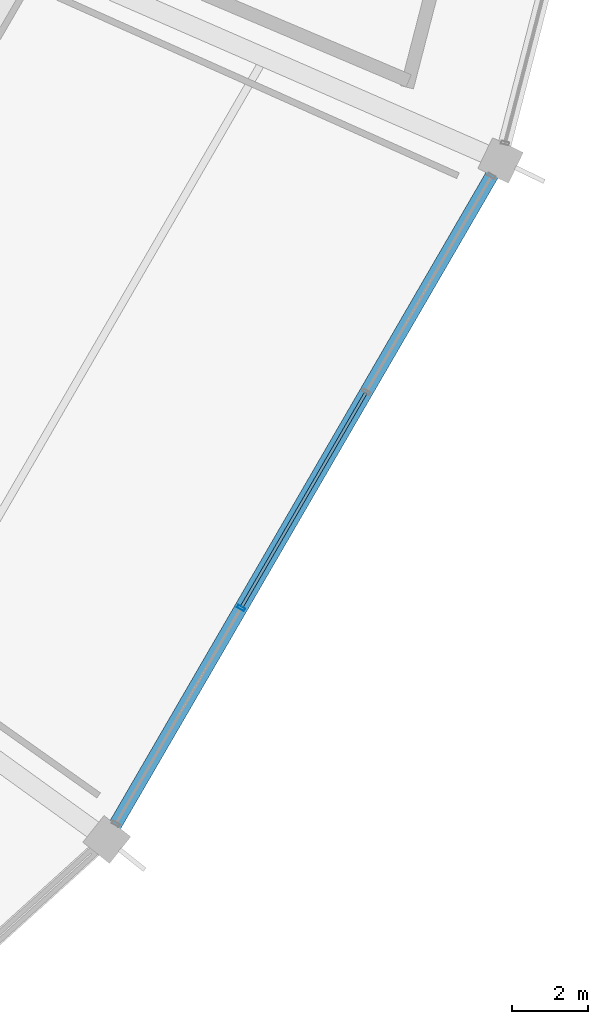
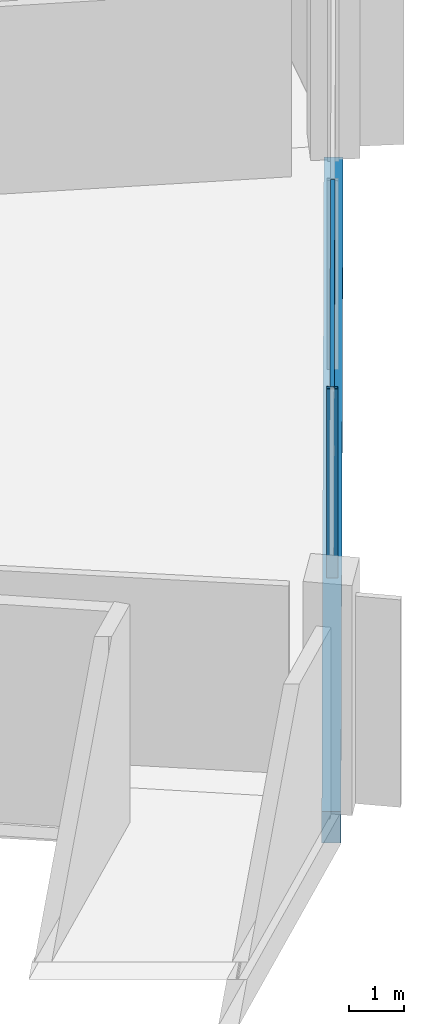
# One storey, part 71 of 184: 3 members, 1 beam, 1 element without a shape of its own.
"""IFC4 building model written with IfcOpenShell, lengths in metres."""

from ifc_helpers import new_model, si_unit, direction, frame, origin, origin_2d, place, context, subcontext, project, spatial, rectangle, hollow_rectangle, extrude, material, layer, layer_set, material_profile, profile_set, type_object, element, aggregate, save


model = new_model("IFC4")

# Units and contexts
model_context = context("Model", 3, precision=1e-05, world=origin(), true_north=direction((0.0, 1.0)))
body_context = subcontext(model_context, "Body", "Model", "MODEL_VIEW")
ifc_project = project(units=[si_unit("LENGTHUNIT", "METRE"), si_unit("AREAUNIT", "SQUARE_METRE"), si_unit("VOLUMEUNIT", "CUBIC_METRE"), si_unit("PLANEANGLEUNIT", "RADIAN"), si_unit("MASSUNIT", "GRAM", prefix="KILO")], contexts=[model_context])

# Site, building, storey
site_placement = place(None, origin())
site = spatial("IfcSite", under=ifc_project, at=site_placement, CompositionType="ELEMENT")
building_placement = place(site_placement, origin())
building = spatial("IfcBuilding", under=site, at=building_placement, Name="Kazemori Nagisa Stadium", CompositionType="ELEMENT")
storey_placement = place(building_placement, frame((0.0, 0.0, 10.5400390625)))
storey = spatial("IfcBuildingStorey", under=building, at=storey_placement, Name="L02", CompositionType="ELEMENT", Elevation=10.5400390625)

# Beam
ifc_material_1 = material(Name="Concrete C40/50 (Fc42)", Category="concrete")
ifc_material_profile_1 = material_profile(ifc_material_1, rectangle(XDim=0.35009765625, YDim=0.699951171875, at=origin_2d()), Name="RC-SP-350x700")
ifc_profile_set_1 = profile_set([ifc_material_profile_1], Name="Concrete C40/50 (Fc42)")
beam_type = type_object("IfcBeamType", Name="Beam_BS-RC350X700", PredefinedType="SPANDREL", material=ifc_profile_set_1)
beam_placement = place(storey_placement, frame((201.495361328125, 45.332275390625, -0.610107421875), z_axis=(0.50161277459, 0.8650922635, 0.0), x_axis=(-0.8650922635, 0.50161277459, 0.0)))
element("IfcBeam", 1, at=beam_placement, inside=storey, type_object=beam_type, Name="Ring girder BS-RC350X700 L02 R3-26", PredefinedType="SPANDREL", context=body_context, shape_type="SweptSolid", body=[
    extrude(rectangle(XDim=0.35009765625, YDim=0.699951171875, at=origin_2d()), origin(), (0.0, 0.0, 1.0), 20.71240234375),
])

# Curtain wall, members
ifc_material_2 = material(Name="Anodised aluminium 6063-T5", Category="aluminium")
ifc_layer = layer(ifc_material_2, 0.2099609375, Name="Anodised aluminium 6063-T5", Category="aluminium")
ifc_layer_set = layer_set([ifc_layer], Name="Anodised aluminium 6063-T5")
curtain_wall_type = type_object("IfcCurtainWallType", Name="CW_L02R3_99", PredefinedType="USERDEFINED", material=ifc_layer_set)
curtain_wall_placement = place(storey_placement, origin())
curtain_wall = element("IfcCurtainWall", 2, at=curtain_wall_placement, inside=storey, type_object=curtain_wall_type, Name="Unitised curtain wall CW-L02R3-99 L02", ObjectType="UNITISED CURTAIN WALL", PredefinedType="USERDEFINED")
ifc_material_3 = material(Name="Aluminium 6063-T5 anodised", Category="aluminium")
ifc_material_profile_2 = material_profile(ifc_material_3, hollow_rectangle(XDim=0.080078125, YDim=0.2099609375, WallThickness=0.0048828125, at=origin_2d()), Name="ALU-MULL-80x210x5")
ifc_profile_set_2 = profile_set([ifc_material_profile_2], Name="Aluminium 6063-T5 anodised")
member_type_1 = type_object("IfcMemberType", Name="Mullion_M02", PredefinedType="MULLION", material=ifc_profile_set_2)
member_1_placement = place(storey_placement, frame((205.0380859375, 51.442138671875, 0.0), z_axis=(0.0, 0.0, 1.0), x_axis=(0.501611590054, 0.865092950337, 0.0)))
member_1 = element("IfcMember", 3, at=member_1_placement, type_object=member_type_1, Name="Curtain wall mullion CW-L02R3-99-M2", PredefinedType="MULLION", context=body_context, shape_type="SweptSolid", body=[
    extrude(hollow_rectangle(XDim=0.080078125, YDim=0.2099609375, WallThickness=0.0048828125, at=origin_2d()), origin(), (0.0, 0.0, 1.0), 4.18994140625),
])
ifc_material_profile_3 = material_profile(ifc_material_3, hollow_rectangle(XDim=0.080078125, YDim=0.159912109375, WallThickness=0.00390625, at=origin_2d()), Name="ALU-TRAN-80x160x4")
ifc_profile_set_3 = profile_set([ifc_material_profile_3], Name="Aluminium 6063-T5 anodised")
member_type_2 = type_object("IfcMemberType", Name="Transom_T02", PredefinedType="USERDEFINED", material=ifc_profile_set_3)
member_2_placement = place(storey_placement, frame((205.048095703125, 51.459228515625, 2.84912109375), z_axis=(0.501590295943, 0.865105297069, 0.0), x_axis=(-0.865105297069, 0.501590295943, 0.0)))
member_2 = element("IfcMember", 4, at=member_2_placement, type_object=member_type_2, Name="Curtain wall transom CW-L02R3-99-T2-mid", ObjectType="TRANSOM", PredefinedType="USERDEFINED", context=body_context, shape_type="SweptSolid", body=[
    extrude(hollow_rectangle(XDim=0.080078125, YDim=0.159912109375, WallThickness=0.00390625, at=origin_2d()), origin(), (0.0, 0.0, 1.0), 6.547607421875),
])
member_3_placement = place(storey_placement, frame((205.048095703125, 51.459228515625, 4.119873046875), z_axis=(0.501590295943, 0.865105297069, 0.0), x_axis=(-0.865105297069, 0.501590295943, 0.0)))
member_3 = element("IfcMember", 5, at=member_3_placement, type_object=member_type_2, Name="Curtain wall transom CW-L02R3-99-T2-head", ObjectType="TRANSOM", PredefinedType="USERDEFINED", context=body_context, shape_type="SweptSolid", body=[
    extrude(hollow_rectangle(XDim=0.080078125, YDim=0.159912109375, WallThickness=0.00390625, at=origin_2d()), origin(), (0.0, 0.0, 1.0), 6.547607421875),
])
aggregate(curtain_wall, [member_1, member_2, member_3])

save(model, "model.ifc")
